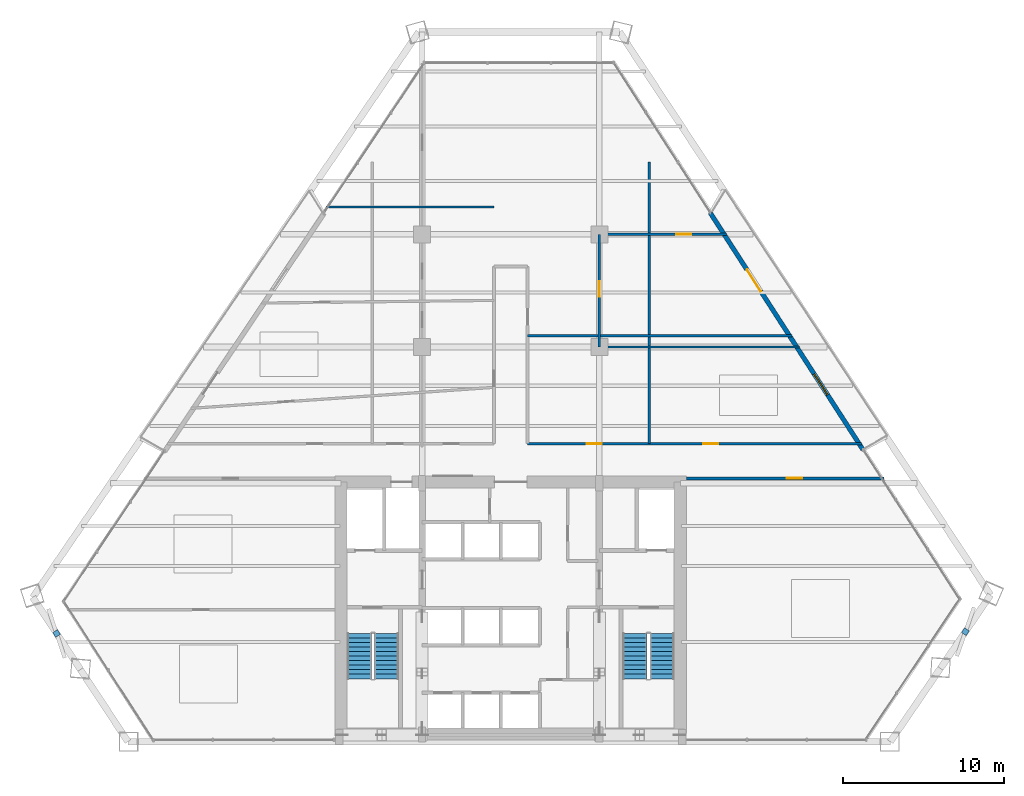
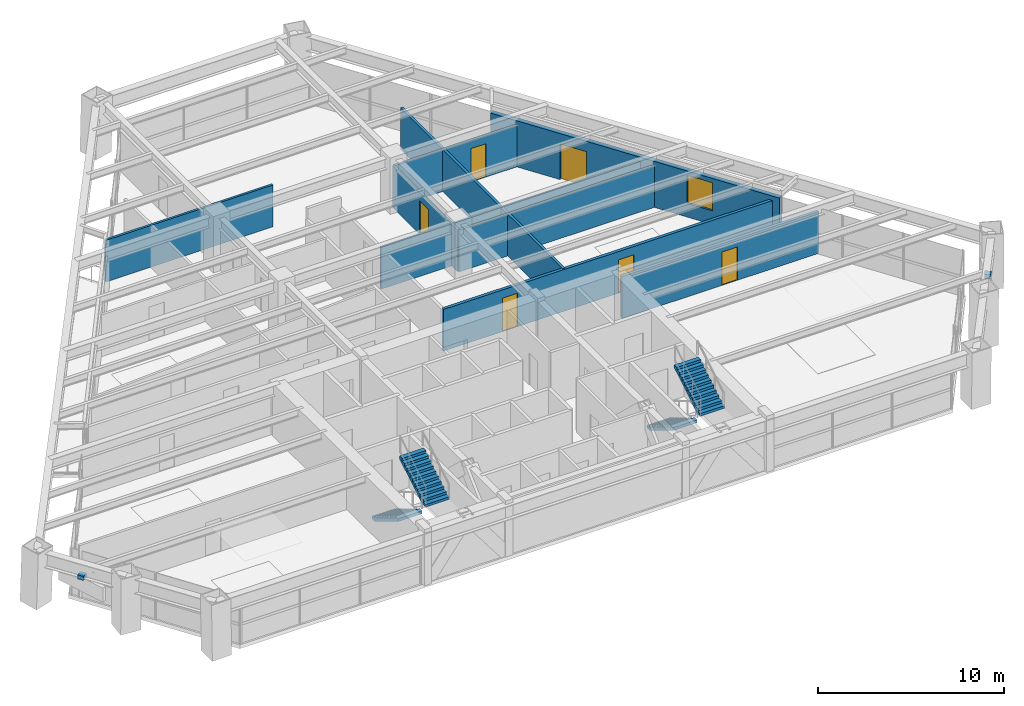
# One storey, part 12 of 14: 9 walls, 6 doors, 4 stair flights, 2 discrete accessories, 1 window, 7 openings, 2 elements without a shape of their own.
"""IFC4 building model written with IfcOpenShell, lengths in metres."""

from ifc_helpers import new_model, si_unit, direction, frame, frame_2d, origin, origin_2d, place, context, subcontext, project, spatial, polyline, rectangle, outline, extrude, source, transform, mapped, material, layer, layer_set, type_object, type_shapes, element, fill, aggregate, save


model = new_model("IFC4")

# Units and contexts
model_context = context("Model", 3, precision=1e-05, world=origin(), true_north=direction((0.0, 1.0)))
body_context = subcontext(model_context, "Body", "Model", "MODEL_VIEW")
ifc_project = project(units=[si_unit("LENGTHUNIT", "METRE"), si_unit("AREAUNIT", "SQUARE_METRE"), si_unit("VOLUMEUNIT", "CUBIC_METRE"), si_unit("PLANEANGLEUNIT", "RADIAN"), si_unit("MASSUNIT", "GRAM", prefix="KILO")], contexts=[model_context])

# Site, building, storey
site_placement = place(None, origin())
site = spatial("IfcSite", under=ifc_project, at=site_placement, CompositionType="ELEMENT")
building_placement = place(site_placement, origin())
building = spatial("IfcBuilding", under=site, at=building_placement, Name="Varnakhor Terracotta Tower", CompositionType="ELEMENT")
storey_placement = place(building_placement, frame((0.0, 0.0, 102.5)))
storey = spatial("IfcBuildingStorey", under=building, at=storey_placement, Name="L25", CompositionType="ELEMENT", Elevation=102.5)

# Wall, opening, door
ifc_material_1 = material(Name="Fire-Rated Gypsum Stud Partition", Category="gypsum")
ifc_layer_1 = layer(ifc_material_1, 0.18505859375, Name="Fire-Rated Gypsum Stud Partition")
ifc_layer_set_1 = layer_set([ifc_layer_1], Name="Fire-Rated Gypsum Stud Partition")
wall_type_1 = type_object("IfcWallType", Name="WAL-CORR-185", PredefinedType="PARTITIONING", material=ifc_layer_set_1)
wall_1_placement = place(storey_placement, frame((10.919921875, 16.35009765625, 0.0), z_axis=(0.0, 0.0, 1.0), x_axis=(1.0, 0.0, 0.0)))
wall_1 = element("IfcWall", 1, at=wall_1_placement, inside=storey, type_object=wall_type_1, Name="L25 South East Corridor Wall", PredefinedType="PARTITIONING", context=body_context, shape_type="SweptSolid", body=[
    extrude(rectangle(XDim=12.251953125, YDim=0.18505859375, at=frame_2d((6.1259765625, 0.0))), origin(), (0.0, 0.0, 1.0), 2.7470703125),
])
opening_1_placement = place(wall_1_placement, frame((6.2294921875, 0.0, 0.0)))
opening_1 = element("IfcOpeningElement", 2, at=opening_1_placement, cuts=wall_1, Name="Opening DR-94", PredefinedType="OPENING", context=body_context, shape_type="SweptSolid", body=[
    extrude(rectangle(XDim=0.949951171875, YDim=2.199951171875, at=frame_2d((0.47509765625, 1.10009765625))), frame((0.0, 0.1025390625, 0.0), z_axis=(0.0, -1.0, 0.0), x_axis=(1.0, 0.0, 0.0)), (0.0, 0.0, 1.0), 0.205078125),
])
ifc_material_2 = material(Name="Acoustic Glazed-Vision Timber Office Door", Category="wood")
door_type_1 = type_object("IfcDoorType", Name="DR-OFF-950X2200", OperationType="NOTDEFINED", PredefinedType="DOOR", material=ifc_material_2)
shared_shape_1 = source(origin(), body_context, "Body", "SweptSolid", [
    extrude(rectangle(XDim=0.949951171875, YDim=2.199951171875, at=frame_2d((0.47509765625, 1.10009765625))), frame((0.0, 0.02490234375, 0.0), z_axis=(0.0, -1.0, 0.0), x_axis=(1.0, 0.0, 0.0)), (0.0, 0.0, 1.0), 0.050048828125),
])
type_shapes(door_type_1, [shared_shape_1])
door_1_placement = place(opening_1_placement, origin())
door_1 = element("IfcDoor", 3, at=door_1_placement, inside=storey, type_object=door_type_1, Name="L25 SE Suite Door", OperationType="SINGLE_SWING_LEFT", OverallHeight=2.199951171875, OverallWidth=0.949951171875, PredefinedType="DOOR", context=body_context, shape_type="MappedRepresentation", body=[
    mapped(shared_shape_1, transform((0.0, 0.0, 0.0), scale=1.0)),
])
fill(opening_1, door_1)

# Wall, openings, doors
wall_2_placement = place(storey_placement, frame((1.050048828125, 18.5, 0.0), z_axis=(0.0, 0.0, 1.0), x_axis=(1.0, 0.0, 0.0)))
wall_2 = element("IfcWall", 4, at=wall_2_placement, inside=storey, type_object=wall_type_1, Name="L25 Corridor North East Wall", PredefinedType="PARTITIONING", context=body_context, shape_type="SweptSolid", body=[
    extrude(rectangle(XDim=20.7353515625, YDim=0.18505859375, at=frame_2d((10.36767578125, 0.0))), origin(), (0.0, 0.0, 1.0), 2.7470703125),
])
opening_2_placement = place(wall_2_placement, frame((10.8955078125, 0.0, 0.0)))
opening_2 = element("IfcOpeningElement", 5, at=opening_2_placement, cuts=wall_2, Name="Opening DR-94", PredefinedType="OPENING", context=body_context, shape_type="SweptSolid", body=[
    extrude(rectangle(XDim=0.949951171875, YDim=2.199951171875, at=frame_2d((0.47509765625, 1.10009765625))), frame((0.0, 0.1025390625, 0.0), z_axis=(0.0, -1.0, 0.0), x_axis=(1.0, 0.0, 0.0)), (0.0, 0.0, 1.0), 0.205078125),
])
opening_3_placement = place(wall_2_placement, frame((3.6630859375, 0.0, 0.0)))
opening_3 = element("IfcOpeningElement", 6, at=opening_3_placement, cuts=wall_2, Name="Opening DR-94", PredefinedType="OPENING", context=body_context, shape_type="SweptSolid", body=[
    extrude(rectangle(XDim=0.949951171875, YDim=2.199951171875, at=frame_2d((0.47509765625, 1.10009765625))), frame((0.0, 0.1025390625, 0.0), z_axis=(0.0, -1.0, 0.0), x_axis=(1.0, 0.0, 0.0)), (0.0, 0.0, 1.0), 0.205078125),
])
door_2_placement = place(opening_2_placement, origin())
door_2 = element("IfcDoor", 7, at=door_2_placement, inside=storey, type_object=door_type_1, Name="L25 East Workplace Door", OperationType="SINGLE_SWING_LEFT", OverallHeight=2.199951171875, OverallWidth=0.949951171875, PredefinedType="DOOR", context=body_context, shape_type="MappedRepresentation", body=[
    mapped(shared_shape_1, transform((0.0, 0.0, 0.0), scale=1.0)),
])
fill(opening_2, door_2)
door_3_placement = place(opening_3_placement, origin())
door_3 = element("IfcDoor", 8, at=door_3_placement, inside=storey, type_object=door_type_1, Name="L25 Quantitative Office W1 B9 Door", OperationType="SINGLE_SWING_LEFT", OverallHeight=2.199951171875, OverallWidth=0.949951171875, PredefinedType="DOOR", context=body_context, shape_type="MappedRepresentation", body=[
    mapped(shared_shape_1, transform((0.0, 0.0, 0.0), scale=1.0)),
])
fill(opening_3, door_3)

# Wall, openings, door, window
ifc_material_3 = material(Name="Extruded Architectural Terracotta Assembly", Category="masonry")
ifc_layer_2 = layer(ifc_material_3, 0.280029296875, Name="Extruded Architectural Terracotta Assembly")
ifc_layer_set_2 = layer_set([ifc_layer_2], Name="Extruded Architectural Terracotta Assembly")
wall_type_2 = type_object("IfcWallType", Name="WAL-EXT-TERRACOTTA-280", PredefinedType="SOLIDWALL", material=ifc_layer_set_2)
wall_3_placement = place(storey_placement, frame((12.38525390625, 32.837890625, 0.0), z_axis=(0.0, 0.0, 1.0), x_axis=(0.541927229755, -0.840425414686, 0.0)))
wall_3 = element("IfcWall", 9, at=wall_3_placement, inside=storey, type_object=wall_type_2, Name="L25 E Loggia Insulated Terracotta Wall", PredefinedType="SOLIDWALL", context=body_context, shape_type="SweptSolid", body=[
    extrude(rectangle(XDim=17.493896484375, YDim=0.280029296875, at=frame_2d((8.7470703125, 0.0))), origin(), (0.0, 0.0, 1.0), 3.030029296875),
])
opening_4_placement = place(wall_3_placement, frame((4.198486328125, 0.0, 0.0)))
opening_4 = element("IfcOpeningElement", 10, at=opening_4_placement, cuts=wall_3, Name="Opening DR-62", PredefinedType="OPENING", context=body_context, shape_type="SweptSolid", body=[
    extrude(rectangle(XDim=1.60009765625, YDim=2.35009765625, at=frame_2d((0.800048828125, 1.175048828125))), frame((0.0, 0.14990234375, 0.0), z_axis=(0.0, -1.0, 0.0), x_axis=(1.0, 0.0, 0.0)), (0.0, 0.0, 1.0), 0.300048828125),
])
opening_5_placement = place(wall_3_placement, frame((11.89599609375, 0.0, 0.89990234375)))
opening_5 = element("IfcOpeningElement", 11, at=opening_5_placement, cuts=wall_3, Name="Opening WN-57", PredefinedType="OPENING", context=body_context, shape_type="SweptSolid", body=[
    extrude(rectangle(XDim=1.550048828125, YDim=1.85009765625, at=frame_2d((0.77490234375, 0.925048828125))), frame((0.0, 0.14990234375, 0.0), z_axis=(0.0, -1.0, 0.0), x_axis=(1.0, 0.0, 0.0)), (0.0, 0.0, 1.0), 0.300048828125),
])
ifc_material_4 = material(Name="Thermally Broken Sliding Glass Loggia Door", Category="glass")
door_type_2 = type_object("IfcDoorType", Name="DR-EXT-LOGGIA-1600X2350", OperationType="NOTDEFINED", PredefinedType="DOOR", material=ifc_material_4)
shared_shape_2 = source(origin(), body_context, "Body", "SweptSolid", [
    extrude(rectangle(XDim=1.60009765625, YDim=2.35009765625, at=frame_2d((0.800048828125, 1.175048828125))), frame((0.0, 0.02490234375, 0.0), z_axis=(0.0, -1.0, 0.0), x_axis=(1.0, 0.0, 0.0)), (0.0, 0.0, 1.0), 0.050048828125),
])
type_shapes(door_type_2, [shared_shape_2])
door_4_placement = place(opening_4_placement, origin())
door_4 = element("IfcDoor", 12, at=door_4_placement, inside=storey, type_object=door_type_2, Name="L25 E Recessed Loggia Sliding Door", OperationType="SLIDING_TO_RIGHT", OverallHeight=2.35009765625, OverallWidth=1.60009765625, PredefinedType="DOOR", context=body_context, shape_type="MappedRepresentation", body=[
    mapped(shared_shape_2, transform((0.0, 0.0, 0.0), scale=1.0)),
])
fill(opening_4, door_4)
ifc_material_5 = material(Name="Solar-Control Low-E Insulated Glass Unit", Category="glass")
window_type = type_object("IfcWindowType", Name="WIN-OFF-1650X2100", PartitioningType="SINGLE_PANEL", PredefinedType="WINDOW", material=ifc_material_5)
shared_shape_3 = source(origin(), body_context, "Body", "SweptSolid", [
    extrude(rectangle(XDim=1.550048828125, YDim=1.85009765625, at=frame_2d((0.77490234375, 0.925048828125))), frame((0.0, 0.030029296875, 0.0), z_axis=(0.0, -1.0, 0.0), x_axis=(1.0, 0.0, 0.0)), (0.0, 0.0, 1.0), 0.06005859375),
])
type_shapes(window_type, [shared_shape_3])
window_placement = place(opening_5_placement, origin())
window = element("IfcWindow", 13, at=window_placement, inside=storey, type_object=window_type, Name="L25 E Facet Punched Window", OverallHeight=1.85009765625, OverallWidth=1.550048828125, PartitioningType="SINGLE_PANEL", PredefinedType="WINDOW", context=body_context, shape_type="MappedRepresentation", body=[
    mapped(shared_shape_3, transform((0.0, 0.0, 0.0), scale=1.0)),
])
fill(opening_5, window)

# Wall
ifc_material_6 = material(Name="Acoustic Metal-Stud Partition", Category="gypsum")
ifc_layer_3 = layer(ifc_material_6, 0.139892578125, Name="Acoustic Metal-Stud Partition")
ifc_layer_set_3 = layer_set([ifc_layer_3], Name="Acoustic Metal-Stud Partition")
wall_type_3 = type_object("IfcWallType", Name="WAL-PART-140", PredefinedType="PARTITIONING", material=ifc_layer_set_3)
wall_4_placement = place(storey_placement, frame((5.5, 24.5, 0.0), z_axis=(0.0, 0.0, 1.0), x_axis=(1.0, 0.0, 0.0)))
element("IfcWall", 14, at=wall_4_placement, inside=storey, type_object=wall_type_3, Name="L25 East Y24.5 Column Wall", PredefinedType="PARTITIONING", context=body_context, shape_type="SweptSolid", body=[
    extrude(rectangle(XDim=12.41650390625, YDim=0.139892578125, at=frame_2d((6.208251953125, 0.0))), origin(), (0.0, 0.0, 1.0), 2.7470703125),
])

# Wall, opening, door
wall_5_placement = place(storey_placement, frame((5.5, 24.5, 0.0), z_axis=(0.0, 0.0, 1.0), x_axis=(0.0, 1.0, 0.0)))
wall_5 = element("IfcWall", 15, at=wall_5_placement, inside=storey, type_object=wall_type_3, Name="L25 East Mid Link Wall", PredefinedType="PARTITIONING", context=body_context, shape_type="SweptSolid", body=[
    extrude(rectangle(XDim=7.0, YDim=0.139892578125, at=frame_2d((3.5, 0.0))), origin(), (0.0, 0.0, 1.0), 2.7470703125),
])
opening_6_placement = place(wall_5_placement, frame((3.12255859375, 0.0, 0.0)))
opening_6 = element("IfcOpeningElement", 16, at=opening_6_placement, cuts=wall_5, Name="Opening DR-94", PredefinedType="OPENING", context=body_context, shape_type="SweptSolid", body=[
    extrude(rectangle(XDim=0.949951171875, YDim=2.199951171875, at=frame_2d((0.47509765625, 1.10009765625))), frame((0.0, 0.080078125, 0.0), z_axis=(0.0, -1.0, 0.0), x_axis=(1.0, 0.0, 0.0)), (0.0, 0.0, 1.0), 0.159912109375),
])
door_5_placement = place(opening_6_placement, origin())
door_5 = element("IfcDoor", 17, at=door_5_placement, inside=storey, type_object=door_type_1, Name="L25 Breakout Tea Room B14 Door", OperationType="SINGLE_SWING_LEFT", OverallHeight=2.199951171875, OverallWidth=0.949951171875, PredefinedType="DOOR", context=body_context, shape_type="MappedRepresentation", body=[
    mapped(shared_shape_1, transform((0.0, 0.0, 0.0), scale=1.0)),
])
fill(opening_6, door_5)

wall_6_placement = place(storey_placement, frame((5.5, 31.5, 0.0), z_axis=(0.0, 0.0, 1.0), x_axis=(1.0, 0.0, 0.0)))
wall_6 = element("IfcWall", 18, at=wall_6_placement, inside=storey, type_object=wall_type_3, Name="L25 East Y31.5 Column Wall", PredefinedType="PARTITIONING", context=body_context, shape_type="SweptSolid", body=[
    extrude(rectangle(XDim=7.902587890625, YDim=0.139892578125, at=frame_2d((3.951171875, 0.0))), origin(), (0.0, 0.0, 1.0), 2.7470703125),
])
opening_7_placement = place(wall_6_placement, frame((4.76416015625, 0.0, 0.0)))
opening_7 = element("IfcOpeningElement", 19, at=opening_7_placement, cuts=wall_6, Name="Opening DR-94", PredefinedType="OPENING", context=body_context, shape_type="SweptSolid", body=[
    extrude(rectangle(XDim=0.949951171875, YDim=2.199951171875, at=frame_2d((0.47509765625, 1.10009765625))), frame((0.0, 0.080078125, 0.0), z_axis=(0.0, -1.0, 0.0), x_axis=(1.0, 0.0, 0.0)), (0.0, 0.0, 1.0), 0.159912109375),
])
door_6_placement = place(opening_7_placement, origin())
door_6 = element("IfcDoor", 20, at=door_6_placement, inside=storey, type_object=door_type_1, Name="L25 Research Studio E2 Door", OperationType="SINGLE_SWING_RIGHT", OverallHeight=2.199951171875, OverallWidth=0.949951171875, PredefinedType="DOOR", context=body_context, shape_type="MappedRepresentation", body=[
    mapped(shared_shape_1, transform((0.0, 0.0, 0.0), scale=1.0)),
])
fill(opening_7, door_6)

# Walls
wall_7_placement = place(storey_placement, frame((-11.47509765625, 33.199951171875, 0.0), z_axis=(0.0, 0.0, 1.0), x_axis=(1.0, 0.0, 0.0)))
element("IfcWall", 21, at=wall_7_placement, inside=storey, type_object=wall_type_3, Name="L25 West Wing Cut 3", PredefinedType="PARTITIONING", context=body_context, shape_type="SweptSolid", body=[
    extrude(rectangle(XDim=10.425048828125, YDim=0.139892578125, at=frame_2d((5.21240234375, 0.0))), origin(), (0.0, 0.0, 1.0), 2.7470703125),
])
wall_8_placement = place(storey_placement, frame((1.050048828125, 25.199951171875, 0.0), z_axis=(0.0, 0.0, 1.0), x_axis=(1.0, 0.0, 0.0)))
element("IfcWall", 22, at=wall_8_placement, inside=storey, type_object=wall_type_3, Name="L25 East Wing Cut 1", PredefinedType="PARTITIONING", context=body_context, shape_type="SweptSolid", body=[
    extrude(rectangle(XDim=16.4150390625, YDim=0.139892578125, at=frame_2d((8.20751953125, 0.0))), origin(), (0.0, 0.0, 1.0), 2.7470703125),
])
ifc_material_7 = material(Name="Acoustic Fire-Rated Partition", Category="gypsum")
ifc_layer_4 = layer(ifc_material_7, 0.1650390625, Name="Acoustic Fire-Rated Partition")
ifc_layer_set_4 = layer_set([ifc_layer_4], Name="Acoustic Fire-Rated Partition")
wall_type_4 = type_object("IfcWallType", Name="WAL-TENANCY-165", PredefinedType="PARTITIONING", material=ifc_layer_set_4)
wall_9_placement = place(storey_placement, frame((8.60009765625, 18.5, 0.0), z_axis=(0.0, 0.0, 1.0), x_axis=(0.0, 1.0, 0.0)))
element("IfcWall", 23, at=wall_9_placement, inside=storey, type_object=wall_type_4, Name="L25 East Cellular Line", PredefinedType="PARTITIONING", context=body_context, shape_type="SweptSolid", body=[
    extrude(rectangle(XDim=17.5, YDim=0.1650390625, at=frame_2d((8.75, 0.0))), origin(), (0.0, 0.0, 1.0), 2.7470703125),
])

# Stair, stair flights
ifc_material_8 = material(Name="Concrete C40/50", Category="concrete")
stair_type = type_object("IfcStairType", Name="STR-CORE-OFFICE-1500", PredefinedType="HALF_TURN_STAIR", material=ifc_material_8)
stair_1_placement = place(storey_placement, origin())
stair_1 = element("IfcStair", 24, at=stair_1_placement, inside=storey, type_object=stair_type, Name="L25 Core Exit Stair ST-1", PredefinedType="HALF_TURN_STAIR")
stair_flight_type = type_object("IfcStairFlightType", Name="FLT-CORE-1500", PredefinedType="STRAIGHT", material=ifc_material_8)
stair_flight_1_placement = place(storey_placement, frame((-9.39990234375, 6.7099609375, 0.0), z_axis=(0.0, 0.0, 1.0), x_axis=(0.0, -1.0, 0.0)))
stair_flight_1 = element("IfcStairFlight", 25, at=stair_flight_1_placement, type_object=stair_flight_type, Name="ST-1 flight 1", NumberOfRisers=11, NumberOfTreads=10, PredefinedType="STRAIGHT", RiserHeight=0.168181818, TreadLength=0.28, context=body_context, shape_type="SweptSolid", body=[
    extrude(outline(polyline([(0.0, 0.0), (0.0, 0.168212890625), (0.280029296875, 0.168212890625), (0.280029296875, 0.33642578125), (0.56005859375, 0.33642578125), (0.56005859375, 0.504638671875), (0.840087890625, 0.504638671875), (0.840087890625, 0.672607421875), (1.1201171875, 0.672607421875), (1.1201171875, 0.8408203125), (1.39990234375, 0.8408203125), (1.39990234375, 1.009033203125), (1.679931640625, 1.009033203125), (1.679931640625, 1.17724609375), (1.9599609375, 1.17724609375), (1.9599609375, 1.345458984375), (2.239990234375, 1.345458984375), (2.239990234375, 1.513671875), (2.52001953125, 1.513671875), (2.52001953125, 1.681884765625), (2.800048828125, 1.681884765625), (2.800048828125, 1.85009765625), (2.800048828125, 1.495361328125), (0.310546875, 0.0), (0.0, 0.0)])), frame((0.0, 0.75, 0.0), z_axis=(0.0, -1.0, 0.0), x_axis=(1.0, 0.0, 0.0)), (0.0, 0.0, 1.0), 1.5),
])
stair_flight_2_placement = place(storey_placement, frame((-7.699951171875, 3.909912109375, 1.85009765625), z_axis=(0.0, 0.0, 1.0), x_axis=(0.0, 1.0, 0.0)))
stair_flight_2 = element("IfcStairFlight", 26, at=stair_flight_2_placement, type_object=stair_flight_type, Name="ST-1 flight 2", NumberOfRisers=11, NumberOfTreads=10, PredefinedType="STRAIGHT", RiserHeight=0.168181818, TreadLength=0.28, context=body_context, shape_type="SweptSolid", body=[
    extrude(outline(polyline([(0.0, 0.0), (0.0, 0.168212890625), (0.280029296875, 0.168212890625), (0.280029296875, 0.33642578125), (0.56005859375, 0.33642578125), (0.56005859375, 0.504638671875), (0.840087890625, 0.504638671875), (0.840087890625, 0.672607421875), (1.1201171875, 0.672607421875), (1.1201171875, 0.8408203125), (1.39990234375, 0.8408203125), (1.39990234375, 1.009033203125), (1.679931640625, 1.009033203125), (1.679931640625, 1.17724609375), (1.9599609375, 1.17724609375), (1.9599609375, 1.345458984375), (2.239990234375, 1.345458984375), (2.239990234375, 1.513671875), (2.52001953125, 1.513671875), (2.52001953125, 1.681884765625), (2.800048828125, 1.681884765625), (2.800048828125, 1.85009765625), (2.800048828125, 1.495361328125), (0.310546875, 0.0), (0.0, 0.0)])), frame((0.0, 0.75, 0.0), z_axis=(0.0, -1.0, 0.0), x_axis=(1.0, 0.0, 0.0)), (0.0, 0.0, 1.0), 1.5),
])
aggregate(stair_1, [stair_flight_1, stair_flight_2])

stair_2_placement = place(storey_placement, origin())
stair_2 = element("IfcStair", 27, at=stair_2_placement, inside=storey, type_object=stair_type, Name="L25 Core Exit Stair ST-2", PredefinedType="HALF_TURN_STAIR")
stair_flight_3_placement = place(storey_placement, frame((7.699951171875, 6.7099609375, 0.0), z_axis=(0.0, 0.0, 1.0), x_axis=(0.0, -1.0, 0.0)))
stair_flight_3 = element("IfcStairFlight", 28, at=stair_flight_3_placement, type_object=stair_flight_type, Name="ST-2 flight 1", NumberOfRisers=11, NumberOfTreads=10, PredefinedType="STRAIGHT", RiserHeight=0.168181818, TreadLength=0.28, context=body_context, shape_type="SweptSolid", body=[
    extrude(outline(polyline([(0.0, 0.0), (0.0, 0.168212890625), (0.280029296875, 0.168212890625), (0.280029296875, 0.33642578125), (0.56005859375, 0.33642578125), (0.56005859375, 0.504638671875), (0.840087890625, 0.504638671875), (0.840087890625, 0.672607421875), (1.1201171875, 0.672607421875), (1.1201171875, 0.8408203125), (1.39990234375, 0.8408203125), (1.39990234375, 1.009033203125), (1.679931640625, 1.009033203125), (1.679931640625, 1.17724609375), (1.9599609375, 1.17724609375), (1.9599609375, 1.345458984375), (2.239990234375, 1.345458984375), (2.239990234375, 1.513671875), (2.52001953125, 1.513671875), (2.52001953125, 1.681884765625), (2.800048828125, 1.681884765625), (2.800048828125, 1.85009765625), (2.800048828125, 1.495361328125), (0.310546875, 0.0), (0.0, 0.0)])), frame((0.0, 0.75, 0.0), z_axis=(0.0, -1.0, 0.0), x_axis=(1.0, 0.0, 0.0)), (0.0, 0.0, 1.0), 1.5),
])
stair_flight_4_placement = place(storey_placement, frame((9.39990234375, 3.909912109375, 1.85009765625), z_axis=(0.0, 0.0, 1.0), x_axis=(0.0, 1.0, 0.0)))
stair_flight_4 = element("IfcStairFlight", 29, at=stair_flight_4_placement, type_object=stair_flight_type, Name="ST-2 flight 2", NumberOfRisers=11, NumberOfTreads=10, PredefinedType="STRAIGHT", RiserHeight=0.168181818, TreadLength=0.28, context=body_context, shape_type="SweptSolid", body=[
    extrude(outline(polyline([(0.0, 0.0), (0.0, 0.168212890625), (0.280029296875, 0.168212890625), (0.280029296875, 0.33642578125), (0.56005859375, 0.33642578125), (0.56005859375, 0.504638671875), (0.840087890625, 0.504638671875), (0.840087890625, 0.672607421875), (1.1201171875, 0.672607421875), (1.1201171875, 0.8408203125), (1.39990234375, 0.8408203125), (1.39990234375, 1.009033203125), (1.679931640625, 1.009033203125), (1.679931640625, 1.17724609375), (1.9599609375, 1.17724609375), (1.9599609375, 1.345458984375), (2.239990234375, 1.345458984375), (2.239990234375, 1.513671875), (2.52001953125, 1.513671875), (2.52001953125, 1.681884765625), (2.800048828125, 1.681884765625), (2.800048828125, 1.85009765625), (2.800048828125, 1.495361328125), (0.310546875, 0.0), (0.0, 0.0)])), frame((0.0, 0.75, 0.0), z_axis=(0.0, -1.0, 0.0), x_axis=(1.0, 0.0, 0.0)), (0.0, 0.0, 1.0), 1.5),
])
aggregate(stair_2, [stair_flight_3, stair_flight_4])

# Discrete accessories
ifc_material_9 = material(Name="Stainless Steel Fixing Bracket", Category="steel")
discrete_accessory_type = type_object("IfcDiscreteAccessoryType", Name="BRACKET-TERRACOTTA-SCREEN", PredefinedType="BRACKET", material=ifc_material_9)
shared_shape_4 = source(origin(), body_context, "Body", "SweptSolid", [
    extrude(rectangle(XDim=0.35009765625, YDim=0.35009765625, at=origin_2d()), origin(), (0.0, 0.0, 1.0), 0.280029296875),
])
type_shapes(discrete_accessory_type, [shared_shape_4])
for number, where, z_axis, x_axis, name in (
    (30, (28.23193359375, 6.831787109375, 2.39306640625), (0.0, 0.0, 1.0), (0.563828791919, 0.825891695928, 0.0), "L25 E Screen Fixing Bracket"),
    (31, (-28.192626953125, 6.7236328125, 2.39306640625), (0.0, 0.0, 1.0), (0.550276731838, -0.834982346159, 0.0), "L25 W Screen Fixing Bracket"),
):
    element("IfcDiscreteAccessory", number, at=place(storey_placement, frame(where, z_axis=z_axis, x_axis=x_axis)), inside=storey, type_object=discrete_accessory_type, Name=name, PredefinedType="BRACKET", context=body_context, shape_type="MappedRepresentation", body=[
        mapped(shared_shape_4, transform((0.0, 0.0, 0.0), scale=1.0)),
    ])

save(model, "model.ifc")
